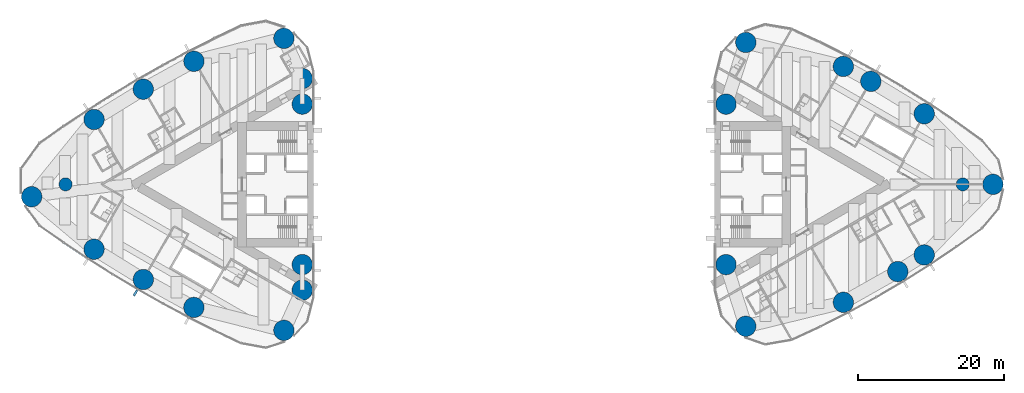
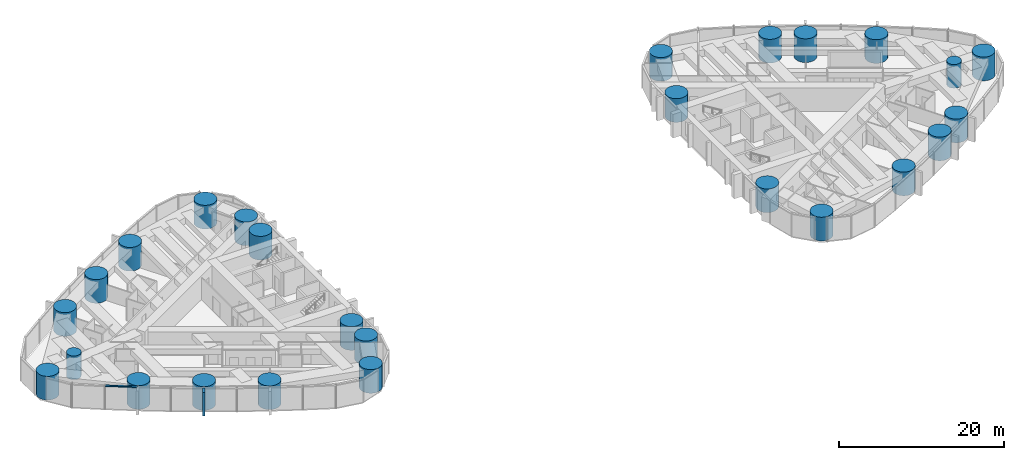
# One storey, part 1 of 19: 26 columns, 2 members, 1 element without a shape of its own.
"""IFC4 building model written with IfcOpenShell, lengths in metres."""

from ifc_helpers import new_model, si_unit, direction, frame, origin, origin_2d, place, context, subcontext, project, spatial, rectangle, circle, extrude, material, material_profile, profile_set, type_object, element, aggregate, save


model = new_model("IFC4")

# Units and contexts
model_context = context("Model", 3, precision=1e-05, world=origin(), true_north=direction((0.0, 1.0)))
body_context = subcontext(model_context, "Body", "Model", "MODEL_VIEW")
ifc_project = project(units=[si_unit("LENGTHUNIT", "METRE"), si_unit("AREAUNIT", "SQUARE_METRE"), si_unit("VOLUMEUNIT", "CUBIC_METRE"), si_unit("PLANEANGLEUNIT", "RADIAN"), si_unit("MASSUNIT", "GRAM", prefix="KILO")], contexts=[model_context])

# Site, building, storey
site_placement = place(None, origin())
site = spatial("IfcSite", under=ifc_project, at=site_placement, CompositionType="ELEMENT")
building_placement = place(site_placement, origin())
building = spatial("IfcBuilding", under=site, at=building_placement, Name="Lancet Gate Hotel", CompositionType="ELEMENT")
storey_placement = place(building_placement, frame((0.0, 0.0, 170.300048828125)))
storey = spatial("IfcBuildingStorey", under=building, at=storey_placement, Name="L45", CompositionType="ELEMENT", Elevation=170.300048828125)

# Columns
ifc_material_1 = material(Name="Concrete C60/75", Category="concrete")
ifc_material_profile_1 = material_profile(ifc_material_1, circle(Radius=0.89990234375, at=origin_2d()), Name="RC D1800")
ifc_profile_set_1 = profile_set([ifc_material_profile_1], Name="Concrete C60/75")
column_type_1 = type_object("IfcColumnType", Name="Apex column RC D1800", PredefinedType="COLUMN", material=ifc_profile_set_1)
for number, where, z_axis, x_axis, name in (
    (1, (-61.5, 0.0, 0.0), (0.0, 0.0, 1.0), (1.0, 0.0, 0.0), "T1 column AX L45"),
    (2, (61.5, 0.0, 0.0), (0.0, 0.0, 1.0), (1.0, 0.0, 0.0), "T2 column AX L45"),
):
    element("IfcColumn", number, at=place(storey_placement, frame(where, z_axis=z_axis, x_axis=x_axis)), inside=storey, type_object=column_type_1, Name=name, PredefinedType="COLUMN", context=body_context, shape_type="SweptSolid", body=[
        extrude(circle(Radius=0.89990234375, at=origin_2d()), origin(), (0.0, 0.0, 1.0), 3.5),
    ])
ifc_material_2 = material(Name="Concrete C60/75", Category="concrete")
ifc_material_profile_2 = material_profile(ifc_material_2, circle(Radius=1.39990234375, at=origin_2d()), Name="RC D2800")
ifc_profile_set_2 = profile_set([ifc_material_profile_2], Name="Concrete C60/75")
column_type_2 = type_object("IfcColumnType", Name="Perimeter column RC D2800", PredefinedType="COLUMN", material=ifc_profile_set_2)
for number, where, z_axis, x_axis, name in (
    (3, (-66.142578125, -1.6953125, 0.0), (0.0, 0.0, 1.0), (1.0, 0.0, 0.0), "T1 column CA L45"),
    (4, (-31.5654296875, -20.015869140625, 0.0), (0.0, 0.0, 1.0), (1.0, 0.0, 0.0), "T1 column CN L45"),
    (5, (-31.5654296875, 20.015869140625, 0.0), (0.0, 0.0, 1.0), (1.0, 0.0, 0.0), "T1 column CS L45"),
    (6, (-29.050048828125, -11.0, 0.0), (0.0, 0.0, 1.0), (1.0, 0.0, 0.0), "T1 column IN L45"),
    (7, (-29.050048828125, 11.0, 0.0), (0.0, 0.0, 1.0), (1.0, 0.0, 0.0), "T1 column IS L45"),
    (8, (-29.050048828125, 14.5, 0.0), (0.0, 0.0, 1.0), (1.0, 0.0, 0.0), "T1 column IT L45"),
    (9, (-29.050048828125, -14.5, 0.0), (0.0, 0.0, 1.0), (1.0, 0.0, 0.0), "T1 column JT L45"),
    (10, (-57.589599609375, -8.89306640625, 0.0), (0.0, 0.0, 1.0), (1.0, 0.0, 0.0), "T1 column ON1 L45"),
    (11, (-50.8388671875, -13.043212890625, 0.0), (0.0, 0.0, 1.0), (1.0, 0.0, 0.0), "T1 column ON2 L45"),
    (12, (-43.900390625, -16.871337890625, 0.0), (0.0, 0.0, 1.0), (1.0, 0.0, 0.0), "T1 column ON3 L45"),
    (13, (-43.900390625, 16.871337890625, 0.0), (0.0, 0.0, 1.0), (1.0, 0.0, 0.0), "T1 column OS1 L45"),
    (14, (-50.8388671875, 13.043212890625, 0.0), (0.0, 0.0, 1.0), (1.0, 0.0, 0.0), "T1 column OS2 L45"),
    (15, (-57.589599609375, 8.89306640625, 0.0), (0.0, 0.0, 1.0), (1.0, 0.0, 0.0), "T1 column OS3 L45"),
    (16, (65.6396484375, 0.0, 0.0), (0.0, 0.0, 1.0), (1.0, 0.0, 0.0), "T2 column CA L45"),
    (17, (31.759765625, 19.455810546875, 0.0), (0.0, 0.0, 1.0), (1.0, 0.0, 0.0), "T2 column CN L45"),
    (18, (31.759765625, -19.455810546875, 0.0), (0.0, 0.0, 1.0), (1.0, 0.0, 0.0), "T2 column CS L45"),
    (19, (29.050048828125, 11.0, 0.0), (0.0, 0.0, 1.0), (1.0, 0.0, 0.0), "T2 column IN L45"),
    (20, (29.050048828125, -11.0, 0.0), (0.0, 0.0, 1.0), (1.0, 0.0, 0.0), "T2 column IS L45"),
    (21, (56.220947265625, 9.67236328125, 0.0), (0.0, 0.0, 1.0), (1.0, 0.0, 0.0), "T2 column ON1 L45"),
    (22, (48.8974609375, 14.12060546875, 0.0), (0.0, 0.0, 1.0), (1.0, 0.0, 0.0), "T2 column ON2 L45"),
    (23, (45.133544921875, 16.16845703125, 0.0), (0.0, 0.0, 1.0), (1.0, 0.0, 0.0), "T2 column ON3 L45"),
    (24, (45.133544921875, -16.16845703125, 0.0), (0.0, 0.0, 1.0), (1.0, 0.0, 0.0), "T2 column OS1 L45"),
    (25, (52.594482421875, -11.95458984375, 0.0), (0.0, 0.0, 1.0), (1.0, 0.0, 0.0), "T2 column OS2 L45"),
    (26, (56.220947265625, -9.67236328125, 0.0), (0.0, 0.0, 1.0), (1.0, 0.0, 0.0), "T2 column OS3 L45"),
):
    element("IfcColumn", number, at=place(storey_placement, frame(where, z_axis=z_axis, x_axis=x_axis)), inside=storey, type_object=column_type_2, Name=name, PredefinedType="COLUMN", context=body_context, shape_type="SweptSolid", body=[
        extrude(circle(Radius=1.39990234375, at=origin_2d()), origin(), (0.0, 0.0, 1.0), 3.5),
    ])

# Curtain wall, members
ifc_material_3 = material(Name="Aluminium curtain wall", Category="aluminium")
curtain_wall_type = type_object("IfcCurtainWallType", Name="Tower unitised curtain wall", PredefinedType="USERDEFINED", material=ifc_material_3)
curtain_wall_placement = place(storey_placement, origin())
curtain_wall = element("IfcCurtainWall", 27, at=curtain_wall_placement, inside=storey, type_object=curtain_wall_type, Name="T1 L45 curtain wall 3", ObjectType="UNITISED CURTAIN WALL", PredefinedType="USERDEFINED")
ifc_material_4 = material(Name="Aluminium transom", Category="aluminium")
ifc_material_profile_3 = material_profile(ifc_material_4, rectangle(XDim=0.25, YDim=0.14990234375, at=origin_2d()), Name="TRANSOM 250x150")
ifc_profile_set_3 = profile_set([ifc_material_profile_3], Name="Aluminium transom")
member_type_1 = type_object("IfcMemberType", Name="Aluminium transom 250x150", PredefinedType="USERDEFINED", material=ifc_profile_set_3)
member_1_placement = place(storey_placement, frame((-61.735595703125, -7.998779296875, 3.425048828125), z_axis=(0.832870509189, -0.553467898729, 0.0), x_axis=(0.553467898729, 0.832870509189, 0.0)))
member_1 = element("IfcMember", 28, at=member_1_placement, type_object=member_type_1, Name="T1 L45 curtain wall 3 transom 3", ObjectType="TRANSOM", PredefinedType="USERDEFINED", context=body_context, shape_type="SweptSolid", body=[
    extrude(rectangle(XDim=0.25, YDim=0.14990234375, at=origin_2d()), origin(), (0.0, 0.0, 1.0), 3.933837890625),
])
ifc_material_5 = material(Name="Precast concrete C50/60", Category="concrete")
ifc_material_profile_4 = material_profile(ifc_material_5, rectangle(XDim=0.300048828125, YDim=0.89990234375, at=origin_2d()), Name="FIN 300x900")
ifc_profile_set_4 = profile_set([ifc_material_profile_4], Name="Precast concrete C50/60")
member_type_2 = type_object("IfcMemberType", Name="Exposed concrete fin 300x900", PredefinedType="USERDEFINED", material=ifc_profile_set_4)
member_2_placement = place(storey_placement, frame((-51.908935546875, -14.879150390625, 0.0), z_axis=(0.0, 0.0, 1.0), x_axis=(0.863968774311, -0.503545387245, 0.0)))
member_2 = element("IfcMember", 29, at=member_2_placement, type_object=member_type_2, Name="T1 L45 curtain wall 3 fin 6", ObjectType="FIN", PredefinedType="USERDEFINED", context=body_context, shape_type="SweptSolid", body=[
    extrude(rectangle(XDim=0.300048828125, YDim=0.89990234375, at=origin_2d()), origin(), (0.0, 0.0, 1.0), 3.5),
])
aggregate(curtain_wall, [member_2, member_1])

save(model, "model.ifc")
